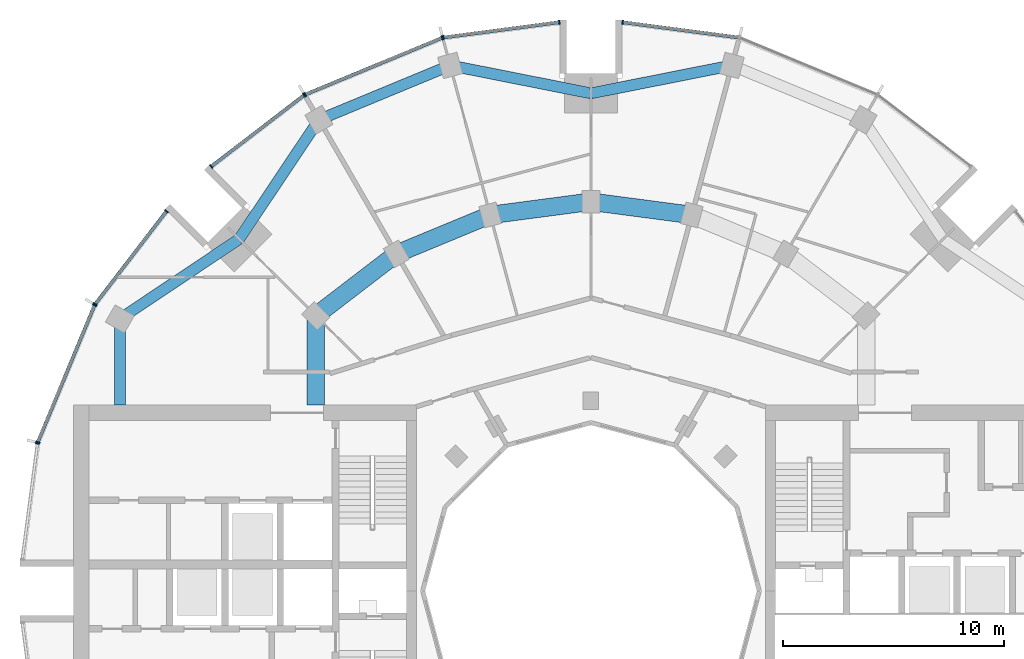
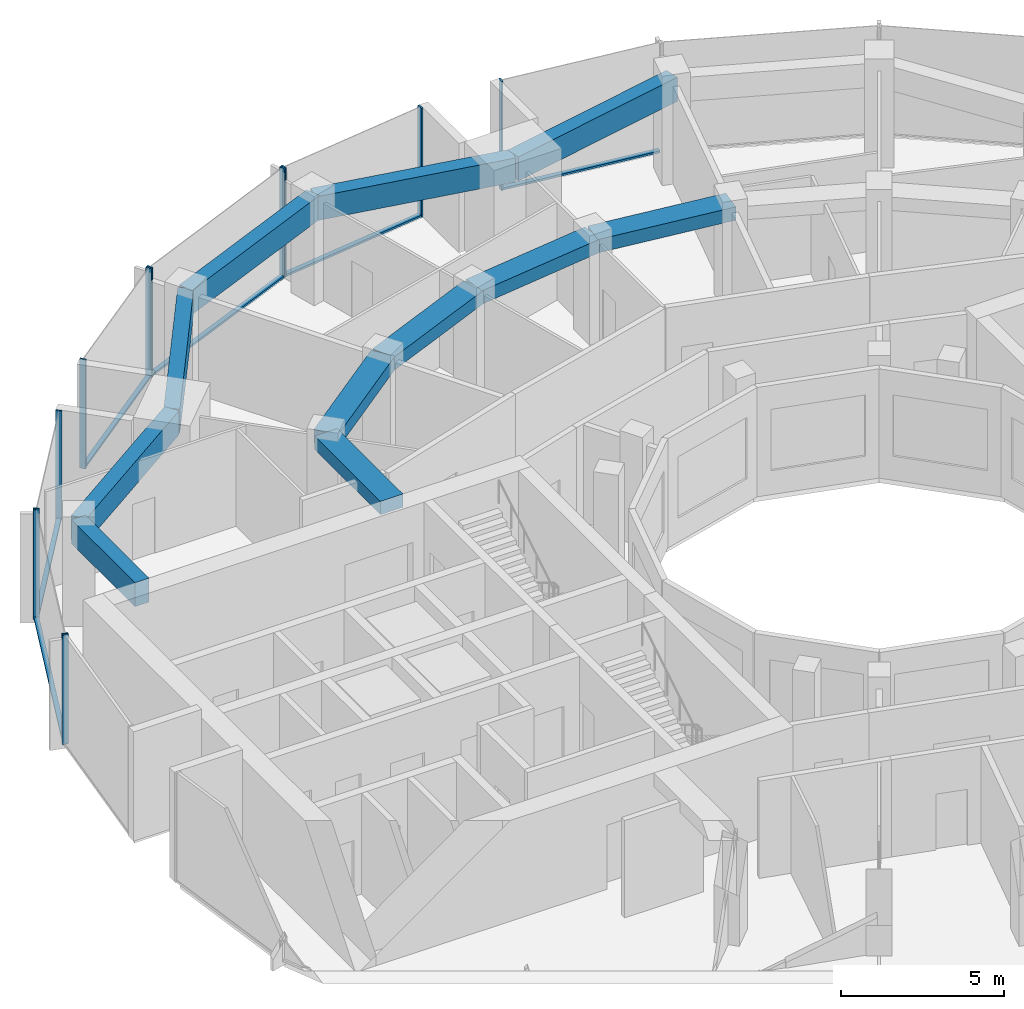
# One storey, part 5 of 15: 18 members, 11 beams, 7 elements without a shape of their own.
"""IFC4 building model written with IfcOpenShell, lengths in metres."""

from ifc_helpers import new_model, si_unit, direction, frame, origin, origin_2d, place, context, subcontext, project, spatial, rectangle, extrude, material, layer, layer_set, material_profile, profile_set, type_object, element, aggregate, save


model = new_model("IFC4")

# Units and contexts
model_context = context("Model", 3, precision=1e-05, world=origin(), true_north=direction((0.0, 1.0)))
body_context = subcontext(model_context, "Body", "Model", "MODEL_VIEW")
ifc_project = project(units=[si_unit("LENGTHUNIT", "METRE"), si_unit("AREAUNIT", "SQUARE_METRE"), si_unit("VOLUMEUNIT", "CUBIC_METRE"), si_unit("PLANEANGLEUNIT", "RADIAN"), si_unit("MASSUNIT", "GRAM", prefix="KILO")], contexts=[model_context])

# Site, building, storey
site_placement = place(None, origin())
site = spatial("IfcSite", under=ifc_project, at=site_placement, CompositionType="ELEMENT")
building_placement = place(site_placement, origin())
building = spatial("IfcBuilding", under=site, at=building_placement, Name="Torre Brocal", CompositionType="ELEMENT")
storey_placement = place(building_placement, frame((0.0, 0.0, 170.0)))
storey = spatial("IfcBuildingStorey", under=building, at=storey_placement, Name="L39", CompositionType="ELEMENT", Elevation=170.0)

# Curtain wall, member
ifc_material_1 = material(Name="Aluminium and glass", Category="aluminium")
ifc_layer_1 = layer(ifc_material_1, 0.199951171875)
ifc_layer_set_1 = layer_set([ifc_layer_1], Name="Aluminium and glass")
curtain_wall_type_1 = type_object("IfcCurtainWallType", Name="CW-1 CURTAIN WALL 4100 HIGH", PredefinedType="NOTDEFINED", material=ifc_layer_set_1)
curtain_wall_1_placement = place(storey_placement, origin())
curtain_wall_1 = element("IfcCurtainWall", 1, at=curtain_wall_1_placement, inside=storey, type_object=curtain_wall_type_1, Name="CW-1 RUN 6", PredefinedType="NOTDEFINED")
ifc_material_2 = material(Name="Aluminium, dark anodised", Category="aluminium")
ifc_material_profile_1 = material_profile(ifc_material_2, rectangle(XDim=0.199951171875, YDim=0.06005859375, at=origin_2d()), Name="CW-1 MULLION 60X200")
ifc_profile_set_1 = profile_set([ifc_material_profile_1], Name="Aluminium, dark anodised")
member_type_1 = type_object("IfcMemberType", Name="CW-1 MULLION 60X200", PredefinedType="MULLION", material=ifc_profile_set_1)
member_1_placement = place(storey_placement, frame((81.4296875, 100.7109375, 0.0), z_axis=(0.0, 0.0, 1.0), x_axis=(-0.13052619222, -0.991444861374, 0.0)))
member_1 = element("IfcMember", 2, at=member_1_placement, type_object=member_type_1, Name="CW1-4 mullion 2", PredefinedType="MULLION", context=body_context, shape_type="SweptSolid", body=[
    extrude(rectangle(XDim=0.199951171875, YDim=0.06005859375, at=origin_2d()), origin(), (0.0, 0.0, 1.0), 4.10009765625),
])

# Curtain wall, members
curtain_wall_2_placement = place(storey_placement, origin())
curtain_wall_2 = element("IfcCurtainWall", 3, at=curtain_wall_2_placement, inside=storey, type_object=curtain_wall_type_1, Name="CW-1 RUN 7", PredefinedType="NOTDEFINED")
member_2_placement = place(storey_placement, frame((78.5703125, 100.7109375, 0.0), z_axis=(0.0, 0.0, 1.0), x_axis=(0.13052619222, -0.991444861374, 0.0)))
member_2 = element("IfcMember", 4, at=member_2_placement, type_object=member_type_1, Name="CW1-4 mullion 1", PredefinedType="MULLION", context=body_context, shape_type="SweptSolid", body=[
    extrude(rectangle(XDim=0.199951171875, YDim=0.06005859375, at=origin_2d()), origin(), (0.0, 0.0, 1.0), 4.10009765625),
])
member_3_placement = place(storey_placement, frame((73.32666015625, 100.0205078125, 0.0), z_axis=(0.0, 0.0, 1.0), x_axis=(0.13052619222, -0.991444861374, 0.0)))
member_3 = element("IfcMember", 5, at=member_3_placement, type_object=member_type_1, Name="CW1-4 mullion 2", PredefinedType="MULLION", context=body_context, shape_type="SweptSolid", body=[
    extrude(rectangle(XDim=0.199951171875, YDim=0.06005859375, at=origin_2d()), origin(), (0.0, 0.0, 1.0), 4.10009765625),
])

curtain_wall_3_placement = place(storey_placement, origin())
curtain_wall_3 = element("IfcCurtainWall", 6, at=curtain_wall_3_placement, inside=storey, type_object=curtain_wall_type_1, Name="CW-1 RUN 8", PredefinedType="NOTDEFINED")
member_4_placement = place(storey_placement, frame((73.26904296875, 100.005126953125, 0.0), z_axis=(0.0, 0.0, 1.0), x_axis=(0.382683432333, -0.923879532525, 0.0)))
member_4 = element("IfcMember", 7, at=member_4_placement, type_object=member_type_1, Name="CW1-4 mullion 1", PredefinedType="MULLION", context=body_context, shape_type="SweptSolid", body=[
    extrude(rectangle(XDim=0.199951171875, YDim=0.06005859375, at=origin_2d()), origin(), (0.0, 0.0, 1.0), 4.10009765625),
])
member_5_placement = place(storey_placement, frame((67.078125, 97.440673828125, 0.0), z_axis=(0.0, 0.0, 1.0), x_axis=(0.382683432333, -0.923879532525, 0.0)))
member_5 = element("IfcMember", 8, at=member_5_placement, type_object=member_type_1, Name="CW1-4 mullion 2", PredefinedType="MULLION", context=body_context, shape_type="SweptSolid", body=[
    extrude(rectangle(XDim=0.199951171875, YDim=0.06005859375, at=origin_2d()), origin(), (0.0, 0.0, 1.0), 4.10009765625),
])

curtain_wall_4_placement = place(storey_placement, origin())
curtain_wall_4 = element("IfcCurtainWall", 9, at=curtain_wall_4_placement, inside=storey, type_object=curtain_wall_type_1, Name="CW-1 RUN 9", PredefinedType="NOTDEFINED")
member_6_placement = place(storey_placement, frame((67.026611328125, 97.4111328125, 0.0), z_axis=(0.0, 0.0, 1.0), x_axis=(0.60876142905, -0.793353340259, 0.0)))
member_6 = element("IfcMember", 10, at=member_6_placement, type_object=member_type_1, Name="CW1-4 mullion 1", PredefinedType="MULLION", context=body_context, shape_type="SweptSolid", body=[
    extrude(rectangle(XDim=0.199951171875, YDim=0.06005859375, at=origin_2d()), origin(), (0.0, 0.0, 1.0), 4.10009765625),
])
member_7_placement = place(storey_placement, frame((62.83056640625, 94.19140625, 0.0), z_axis=(0.0, 0.0, 1.0), x_axis=(0.60876142905, -0.793353340259, 0.0)))
member_7 = element("IfcMember", 11, at=member_7_placement, type_object=member_type_1, Name="CW1-4 mullion 2", PredefinedType="MULLION", context=body_context, shape_type="SweptSolid", body=[
    extrude(rectangle(XDim=0.199951171875, YDim=0.06005859375, at=origin_2d()), origin(), (0.0, 0.0, 1.0), 4.10009765625),
])

curtain_wall_5_placement = place(storey_placement, origin())
curtain_wall_5 = element("IfcCurtainWall", 12, at=curtain_wall_5_placement, inside=storey, type_object=curtain_wall_type_1, Name="CW-1 RUN 10", PredefinedType="NOTDEFINED")
member_8_placement = place(storey_placement, frame((60.80859375, 92.16943359375, 0.0), z_axis=(0.0, 0.0, 1.0), x_axis=(0.793353340259, -0.60876142905, 0.0)))
member_8 = element("IfcMember", 13, at=member_8_placement, type_object=member_type_1, Name="CW1-4 mullion 1", PredefinedType="MULLION", context=body_context, shape_type="SweptSolid", body=[
    extrude(rectangle(XDim=0.199951171875, YDim=0.06005859375, at=origin_2d()), origin(), (0.0, 0.0, 1.0), 4.10009765625),
])
member_9_placement = place(storey_placement, frame((57.5888671875, 87.973388671875, 0.0), z_axis=(0.0, 0.0, 1.0), x_axis=(0.793353340259, -0.60876142905, 0.0)))
member_9 = element("IfcMember", 14, at=member_9_placement, type_object=member_type_1, Name="CW1-4 mullion 2", PredefinedType="MULLION", context=body_context, shape_type="SweptSolid", body=[
    extrude(rectangle(XDim=0.199951171875, YDim=0.06005859375, at=origin_2d()), origin(), (0.0, 0.0, 1.0), 4.10009765625),
])

curtain_wall_6_placement = place(storey_placement, origin())
curtain_wall_6 = element("IfcCurtainWall", 15, at=curtain_wall_6_placement, inside=storey, type_object=curtain_wall_type_1, Name="CW-1 RUN 11", PredefinedType="NOTDEFINED")
member_10_placement = place(storey_placement, frame((57.559326171875, 87.921875, 0.0), z_axis=(0.0, 0.0, 1.0), x_axis=(0.923879532525, -0.382683432333, 0.0)))
member_10 = element("IfcMember", 16, at=member_10_placement, type_object=member_type_1, Name="CW1-4 mullion 1", PredefinedType="MULLION", context=body_context, shape_type="SweptSolid", body=[
    extrude(rectangle(XDim=0.199951171875, YDim=0.06005859375, at=origin_2d()), origin(), (0.0, 0.0, 1.0), 4.10009765625),
])
member_11_placement = place(storey_placement, frame((54.994873046875, 81.73095703125, 0.0), z_axis=(0.0, 0.0, 1.0), x_axis=(0.923879532525, -0.382683432333, 0.0)))
member_11 = element("IfcMember", 17, at=member_11_placement, type_object=member_type_1, Name="CW1-4 mullion 2", PredefinedType="MULLION", context=body_context, shape_type="SweptSolid", body=[
    extrude(rectangle(XDim=0.199951171875, YDim=0.06005859375, at=origin_2d()), origin(), (0.0, 0.0, 1.0), 4.10009765625),
])

# Member
ifc_material_3 = material(Name="Aluminium, dark anodised", Category="aluminium")
ifc_material_profile_2 = material_profile(ifc_material_3, rectangle(XDim=0.159912109375, YDim=0.080078125, at=origin_2d()), Name="CW-1 TRANSOM 160X80")
ifc_profile_set_2 = profile_set([ifc_material_profile_2], Name="Aluminium, dark anodised")
member_type_2 = type_object("IfcMemberType", Name="CW-1 TRANSOM 160X80", PredefinedType="USERDEFINED", material=ifc_profile_set_2)
member_12_placement = place(storey_placement, frame((86.643798828125, 100.0244140625, 0.0400390625), z_axis=(-0.991442690863, 0.130542677827, 0.0), x_axis=(-0.130542677827, -0.991442690863, 0.0)))
member_12 = element("IfcMember", 18, at=member_12_placement, type_object=member_type_2, Name="CW1-4 transom 1.1", ObjectType="TRANSOM", PredefinedType="USERDEFINED", context=body_context, shape_type="SweptSolid", body=[
    extrude(rectangle(XDim=0.159912109375, YDim=0.080078125, at=origin_2d()), origin(), (0.0, 0.0, 1.0), 5.22900390625),
])

aggregate(curtain_wall_1, [member_1, member_12])

member_13_placement = place(storey_placement, frame((78.54052734375, 100.70703125, 0.0400390625), z_axis=(-0.991442690863, -0.130542677827, 0.0), x_axis=(0.130542677827, -0.991442690863, 0.0)))
member_13 = element("IfcMember", 19, at=member_13_placement, type_object=member_type_2, Name="CW1-4 transom 1.1", ObjectType="TRANSOM", PredefinedType="USERDEFINED", context=body_context, shape_type="SweptSolid", body=[
    extrude(rectangle(XDim=0.159912109375, YDim=0.080078125, at=origin_2d()), origin(), (0.0, 0.0, 1.0), 5.22900390625),
])

aggregate(curtain_wall_2, [member_2, member_3, member_13])

member_14_placement = place(storey_placement, frame((73.241455078125, 99.99365234375, 0.0400390625), z_axis=(-0.923887344364, -0.38266457234, 0.0), x_axis=(0.38266457234, -0.923887344364, 0.0)))
member_14 = element("IfcMember", 20, at=member_14_placement, type_object=member_type_2, Name="CW1-4 transom 1.1", ObjectType="TRANSOM", PredefinedType="USERDEFINED", context=body_context, shape_type="SweptSolid", body=[
    extrude(rectangle(XDim=0.159912109375, YDim=0.080078125, at=origin_2d()), origin(), (0.0, 0.0, 1.0), 6.640869140625),
])

aggregate(curtain_wall_3, [member_4, member_5, member_14])

member_15_placement = place(storey_placement, frame((67.0029296875, 97.392822265625, 0.0400390625), z_axis=(-0.79336281513, -0.60874908096, 0.0), x_axis=(0.60874908096, -0.79336281513, 0.0)))
member_15 = element("IfcMember", 21, at=member_15_placement, type_object=member_type_2, Name="CW1-4 transom 1.1", ObjectType="TRANSOM", PredefinedType="USERDEFINED", context=body_context, shape_type="SweptSolid", body=[
    extrude(rectangle(XDim=0.159912109375, YDim=0.080078125, at=origin_2d()), origin(), (0.0, 0.0, 1.0), 5.22900390625),
])

aggregate(curtain_wall_4, [member_6, member_7, member_15])

member_16_placement = place(storey_placement, frame((60.790283203125, 92.1455078125, 0.0400390625), z_axis=(-0.60874908096, -0.79336281513, 0.0), x_axis=(0.79336281513, -0.60874908096, 0.0)))
member_16 = element("IfcMember", 22, at=member_16_placement, type_object=member_type_2, Name="CW1-4 transom 1.1", ObjectType="TRANSOM", PredefinedType="USERDEFINED", context=body_context, shape_type="SweptSolid", body=[
    extrude(rectangle(XDim=0.159912109375, YDim=0.080078125, at=origin_2d()), origin(), (0.0, 0.0, 1.0), 5.22900390625),
])

aggregate(curtain_wall_5, [member_8, member_9, member_16])

member_17_placement = place(storey_placement, frame((57.547607421875, 87.89404296875, 0.0400390625), z_axis=(-0.38266457234, -0.923887344364, 0.0), x_axis=(0.923887344364, -0.38266457234, 0.0)))
member_17 = element("IfcMember", 23, at=member_17_placement, type_object=member_type_2, Name="CW1-4 transom 1.1", ObjectType="TRANSOM", PredefinedType="USERDEFINED", context=body_context, shape_type="SweptSolid", body=[
    extrude(rectangle(XDim=0.159912109375, YDim=0.080078125, at=origin_2d()), origin(), (0.0, 0.0, 1.0), 6.640869140625),
])

aggregate(curtain_wall_6, [member_10, member_11, member_17])

# Curtain wall, member
ifc_material_4 = material(Name="Aluminium and glass", Category="aluminium")
ifc_layer_2 = layer(ifc_material_4, 0.199951171875)
ifc_layer_set_2 = layer_set([ifc_layer_2], Name="Aluminium and glass")
curtain_wall_type_2 = type_object("IfcCurtainWallType", Name="CW-1B CURTAIN WALL 4100 HIGH", PredefinedType="NOTDEFINED", material=ifc_layer_set_2)
curtain_wall_7_placement = place(storey_placement, origin())
curtain_wall_7 = element("IfcCurtainWall", 24, at=curtain_wall_7_placement, inside=storey, type_object=curtain_wall_type_2, Name="CW-1B RUN 12", PredefinedType="NOTDEFINED")
ifc_material_5 = material(Name="Aluminium, dark anodised", Category="aluminium")
ifc_material_profile_3 = material_profile(ifc_material_5, rectangle(XDim=0.199951171875, YDim=0.06005859375, at=origin_2d()), Name="CW-1B MULLION 60X200")
ifc_profile_set_3 = profile_set([ifc_material_profile_3], Name="Aluminium, dark anodised")
member_type_3 = type_object("IfcMemberType", Name="CW-1B MULLION 60X200", PredefinedType="MULLION", material=ifc_profile_set_3)
member_18_placement = place(storey_placement, frame((54.9794921875, 81.67333984375, 0.0), z_axis=(0.0, 0.0, 1.0), x_axis=(0.991444861374, -0.13052619222, 0.0)))
member_18 = element("IfcMember", 25, at=member_18_placement, type_object=member_type_3, Name="CW1B-4 mullion 1", PredefinedType="MULLION", context=body_context, shape_type="SweptSolid", body=[
    extrude(rectangle(XDim=0.199951171875, YDim=0.06005859375, at=origin_2d()), origin(), (0.0, 0.0, 1.0), 4.10009765625),
])
aggregate(curtain_wall_7, [member_18])

# Beams
ifc_material_6 = material(Name="Concrete C50", Category="concrete")
ifc_material_profile_4 = material_profile(ifc_material_6, rectangle(XDim=0.800048828125, YDim=0.5, at=origin_2d()), Name="RC 800X500")
ifc_profile_set_4 = profile_set([ifc_material_profile_4], Name="Concrete C50")
beam_type_1 = type_object("IfcBeamType", Name="RC BEAM 800X500 C50 TOP 3780", PredefinedType="BEAM", material=ifc_profile_set_4)
for number, where, z_axis, x_axis, name in (
    (26, (84.55517578125, 92.000244140625, 3.530029296875), (-0.991440544449, 0.130558978332, 0.0), (-0.130558978332, -0.991440544449, 0.0), "Beam BT-32"),
    (27, (80.0, 92.60009765625, 3.530029296875), (-0.991440544449, -0.130558978332, 0.0), (0.130558978332, -0.991440544449, 0.0), "Beam BT-32"),
):
    element("IfcBeam", number, at=place(storey_placement, frame(where, z_axis=z_axis, x_axis=x_axis)), inside=storey, type_object=beam_type_1, Name=name, PredefinedType="BEAM", context=body_context, shape_type="SweptSolid", body=[
        extrude(rectangle(XDim=0.800048828125, YDim=0.5, at=origin_2d()), origin(), (0.0, 0.0, 1.0), 4.594482421875),
    ])
beam_1_placement = place(storey_placement, frame((75.44482421875, 92.000244140625, 3.530029296875), z_axis=(-0.923878240166, -0.382686552348, 0.0), x_axis=(0.382686552348, -0.923878240166, 0.0)))
element("IfcBeam", 28, at=beam_1_placement, inside=storey, type_object=beam_type_1, Name="Beam BT-32", PredefinedType="BEAM", context=body_context, shape_type="SweptSolid", body=[
    extrude(rectangle(XDim=0.800048828125, YDim=0.5, at=origin_2d()), origin(), (0.0, 0.0, 1.0), 4.5947265625),
])
beam_2_placement = place(storey_placement, frame((71.199951171875, 90.241943359375, 3.530029296875), z_axis=(-0.793358265959, -0.6087550097, 0.0), x_axis=(0.6087550097, -0.793358265959, 0.0)))
element("IfcBeam", 29, at=beam_2_placement, inside=storey, type_object=beam_type_1, Name="Beam BT-32", PredefinedType="BEAM", context=body_context, shape_type="SweptSolid", body=[
    extrude(rectangle(XDim=0.800048828125, YDim=0.5, at=origin_2d()), origin(), (0.0, 0.0, 1.0), 4.594482421875),
])
beam_3_placement = place(storey_placement, frame((67.554931640625, 87.445068359375, 3.530029296875), z_axis=(0.0, -1.0, 0.0), x_axis=(1.0, 0.0, 0.0)))
element("IfcBeam", 30, at=beam_3_placement, inside=storey, type_object=beam_type_1, Name="Beam BT-32", PredefinedType="BEAM", context=body_context, shape_type="SweptSolid", body=[
    extrude(rectangle(XDim=0.800048828125, YDim=0.5, at=origin_2d()), origin(), (0.0, 0.0, 1.0), 4.045166015625),
])
ifc_material_7 = material(Name="Concrete C50", Category="concrete")
ifc_material_profile_5 = material_profile(ifc_material_7, rectangle(XDim=0.5, YDim=0.89990234375, at=origin_2d()), Name="RC 500X900")
ifc_profile_set_5 = profile_set([ifc_material_profile_5], Name="Concrete C50")
beam_type_2 = type_object("IfcBeamType", Name="RC SPANDREL BEAM 500X900 C50 TOP 3780", PredefinedType="SPANDREL", material=ifc_profile_set_5)
for number, where, z_axis, x_axis, name in (
    (31, (86.366943359375, 98.76171875, 3.330078125), (-0.980924907484, -0.194387051723, 0.0), (0.194387051723, -0.980924907484, 0.0), "Beam BT-33"),
    (32, (80.0, 97.5, 3.330078125), (-0.980924907484, 0.194387051723, 0.0), (-0.194387051723, -0.980924907484, 0.0), "Beam BT-33"),
):
    element("IfcBeam", number, at=place(storey_placement, frame(where, z_axis=z_axis, x_axis=x_axis)), inside=storey, type_object=beam_type_2, Name=name, PredefinedType="SPANDREL", context=body_context, shape_type="SweptSolid", body=[
        extrude(rectangle(XDim=0.5, YDim=0.89990234375, at=origin_2d()), origin(), (0.0, 0.0, 1.0), 6.49072265625),
    ])
beam_4_placement = place(storey_placement, frame((73.633056640625, 98.76171875, 3.330078125), z_axis=(-0.923882462513, -0.382676358639, 0.0), x_axis=(0.382676358639, -0.923882462513, 0.0)))
element("IfcBeam", 33, at=beam_4_placement, inside=storey, type_object=beam_type_2, Name="Beam BT-33", PredefinedType="SPANDREL", context=body_context, shape_type="SweptSolid", body=[
    extrude(rectangle(XDim=0.5, YDim=0.89990234375, at=origin_2d()), origin(), (0.0, 0.0, 1.0), 6.421875),
])
for number, where, z_axis, x_axis, name in (
    (34, (67.699951171875, 96.30419921875, 3.330078125), (-0.556157602282, -0.831076844476, 0.0), (0.831076844476, -0.556157602282, 0.0), "Beam BT-33"),
    (35, (64.090087890625, 90.909912109375, 3.330078125), (-0.831076844476, -0.556157602282, 0.0), (0.556157602282, -0.831076844476, 0.0), "Beam BT-33"),
):
    element("IfcBeam", number, at=place(storey_placement, frame(where, z_axis=z_axis, x_axis=x_axis)), inside=storey, type_object=beam_type_2, Name=name, PredefinedType="SPANDREL", context=body_context, shape_type="SweptSolid", body=[
        extrude(rectangle(XDim=0.5, YDim=0.89990234375, at=origin_2d()), origin(), (0.0, 0.0, 1.0), 6.49072265625),
    ])
beam_5_placement = place(storey_placement, frame((58.69580078125, 87.300048828125, 3.330078125), z_axis=(0.0, -1.0, 0.0), x_axis=(1.0, 0.0, 0.0)))
element("IfcBeam", 36, at=beam_5_placement, inside=storey, type_object=beam_type_2, Name="Beam BT-33", PredefinedType="SPANDREL", context=body_context, shape_type="SweptSolid", body=[
    extrude(rectangle(XDim=0.5, YDim=0.89990234375, at=origin_2d()), origin(), (0.0, 0.0, 1.0), 3.900146484375),
])

save(model, "model.ifc")
